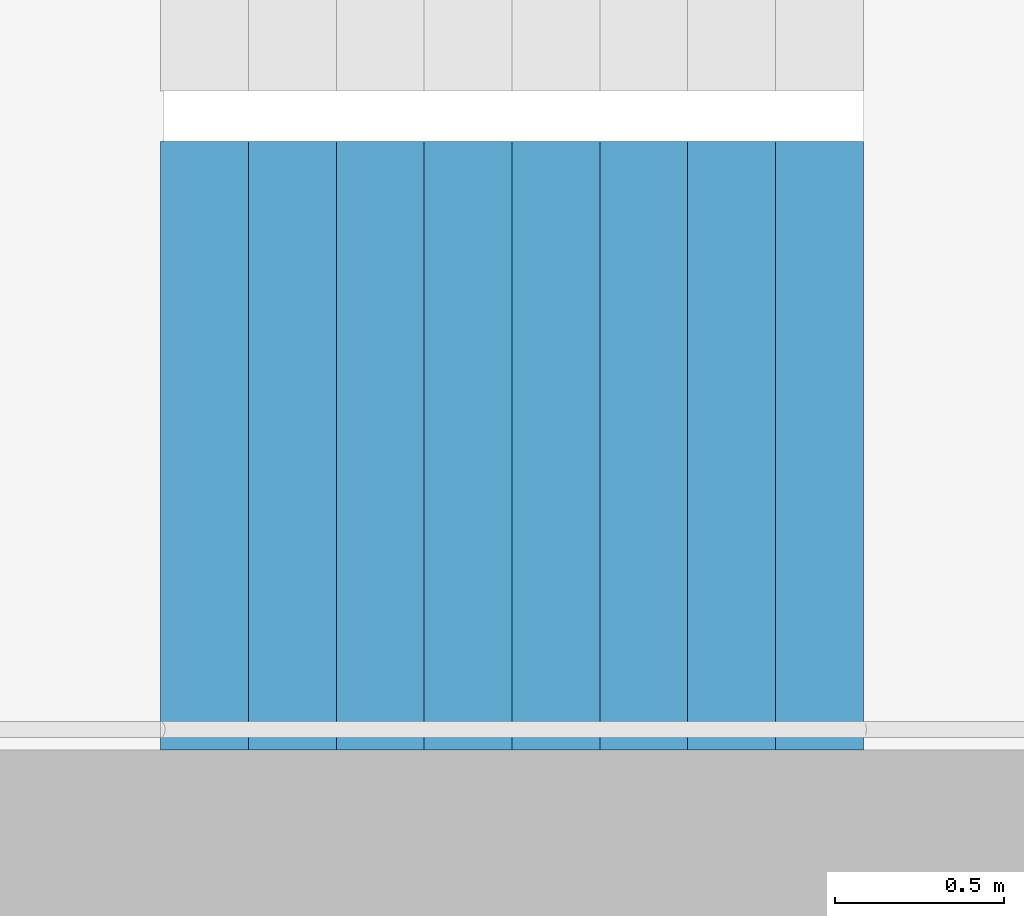
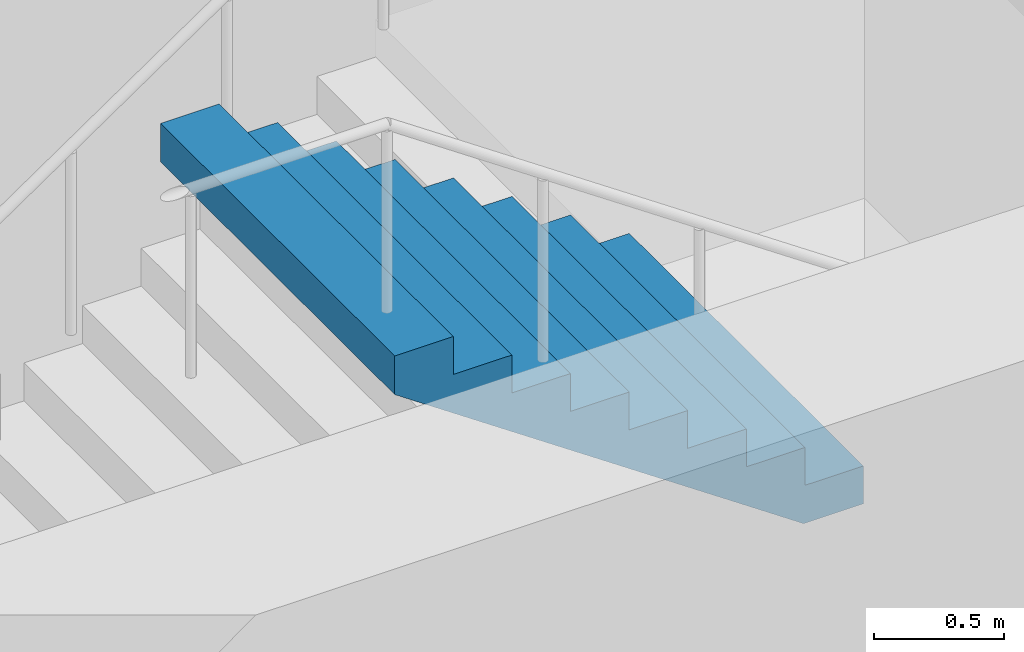
# One storey, part 22 of 26: 1 stair flight, 1 element without a shape of its own.
"""IFC4 building model written with IfcOpenShell, lengths in metres."""

from ifc_helpers import new_model, si_unit, direction, frame, origin, place, context, subcontext, project, spatial, triangles, material, type_object, element, aggregate, save


model = new_model("IFC4")

# Units and contexts
model_context = context("Model", 3, precision=1e-05, world=origin(), true_north=direction((0.0, 1.0)))
body_context = subcontext(model_context, "Body", "Model", "MODEL_VIEW")
ifc_project = project(units=[si_unit("LENGTHUNIT", "METRE"), si_unit("AREAUNIT", "SQUARE_METRE"), si_unit("VOLUMEUNIT", "CUBIC_METRE"), si_unit("PLANEANGLEUNIT", "RADIAN"), si_unit("MASSUNIT", "GRAM", prefix="KILO")], contexts=[model_context])

# Site, building, storey
site_placement = place(None, origin())
site = spatial("IfcSite", under=ifc_project, at=site_placement, CompositionType="ELEMENT")
building_placement = place(site_placement, origin())
building = spatial("IfcBuilding", under=site, at=building_placement, Name="Hakoniwa Tower and Hamabe Station Hall", CompositionType="ELEMENT")
storey_placement = place(building_placement, frame((0.0, 0.0, 221.800048828125)))
storey = spatial("IfcBuildingStorey", under=building, at=storey_placement, Name="L63", CompositionType="ELEMENT", Elevation=221.800048828125)

# Stair, stair flight
ifc_material_1 = material(Name="Concrete C40", Category="concrete")
stair_type = type_object("IfcStairType", Name="ESCAPE STAIR 1800", PredefinedType="HALF_TURN_STAIR", material=ifc_material_1)
stair_placement = place(storey_placement, origin())
stair = element("IfcStair", 1, at=stair_placement, inside=storey, type_object=stair_type, Name="Escape stair ST-4 L63", PredefinedType="HALF_TURN_STAIR")
ifc_material_2 = material(Name="Concrete C40", Category="concrete")
stair_flight_type = type_object("IfcStairFlightType", Name="STAIR FLIGHT 1800", PredefinedType="STRAIGHT", material=ifc_material_2)
stair_flight_placement = place(storey_placement, frame((25.47998046875, -6.60009765625, 1.599853515625), z_axis=(0.0, 0.0, 1.0), x_axis=(-1.0, 0.0, 0.0)))
stair_flight = element("IfcStairFlight", 2, at=stair_flight_placement, type_object=stair_flight_type, Name="ST-4 flight 2", NumberOfRisers=9, NumberOfTreads=8, PredefinedType="STRAIGHT", RiserHeight=0.177777778, TreadLength=0.26, context=body_context, shape_type="Tessellation", body=[
    triangles([(0.0, 0.89990234375, 0.0), (0.260009765625, 0.89990234375, 0.0), (0.265625, 0.89990234375, 0.0), (0.52001953125, 0.89990234375, 0.174072265625), (0.780029296875, 0.89990234375, 0.351806640625), (1.0400390625, 0.89990234375, 0.529541015625), (1.300048828125, 0.89990234375, 0.707275390625), (1.56005859375, 0.89990234375, 0.885009765625), (1.820068359375, 0.89990234375, 1.062744140625), (2.080078125, 0.89990234375, 1.24072265625), (2.080078125, 0.89990234375, 1.422119140625), (1.820068359375, 0.89990234375, 1.422119140625), (1.820068359375, 0.89990234375, 1.244384765625), (1.56005859375, 0.89990234375, 1.244384765625), (1.56005859375, 0.89990234375, 1.066650390625), (1.300048828125, 0.89990234375, 1.066650390625), (1.300048828125, 0.89990234375, 0.888916015625), (1.0400390625, 0.89990234375, 0.888916015625), (1.0400390625, 0.89990234375, 0.711181640625), (0.780029296875, 0.89990234375, 0.711181640625), (0.780029296875, 0.89990234375, 0.533447265625), (0.52001953125, 0.89990234375, 0.533447265625), (0.52001953125, 0.89990234375, 0.35546875), (0.265625, 0.89990234375, 0.35546875), (0.260009765625, 0.89990234375, 0.35546875), (0.260009765625, 0.89990234375, 0.177734375), (0.0, 0.89990234375, 0.177734375), (0.0, 0.06005859375, 0.0), (0.260009765625, 0.06005859375, 0.0), (0.265625, 0.06005859375, 0.0), (0.52001953125, 0.06005859375, 0.174072265625), (0.780029296875, 0.06005859375, 0.351806640625), (1.0400390625, 0.06005859375, 0.529541015625), (1.300048828125, 0.06005859375, 0.707275390625), (1.56005859375, 0.06005859375, 0.885009765625), (1.820068359375, 0.06005859375, 1.062744140625), (2.080078125, 0.06005859375, 1.24072265625), (2.080078125, 0.06005859375, 1.422119140625), (1.820068359375, 0.06005859375, 1.422119140625), (1.820068359375, 0.06005859375, 1.244384765625), (1.56005859375, 0.06005859375, 1.244384765625), (1.56005859375, 0.06005859375, 1.066650390625), (1.300048828125, 0.06005859375, 1.066650390625), (1.300048828125, 0.06005859375, 0.888916015625), (1.0400390625, 0.06005859375, 0.888916015625), (1.0400390625, 0.06005859375, 0.711181640625), (0.780029296875, 0.06005859375, 0.711181640625), (0.780029296875, 0.06005859375, 0.533447265625), (0.52001953125, 0.06005859375, 0.533447265625), (0.52001953125, 0.06005859375, 0.35546875), (0.265625, 0.06005859375, 0.35546875), (0.260009765625, 0.06005859375, 0.35546875), (0.260009765625, 0.06005859375, 0.177734375), (0.0, 0.06005859375, 0.177734375), (0.0, 0.04296875, 0.0), (0.260009765625, 0.04296875, 0.0), (0.265625, 0.04296875, 0.0), (0.52001953125, 0.04296875, 0.174072265625), (0.780029296875, 0.04296875, 0.351806640625), (1.0400390625, 0.04296875, 0.529541015625), (1.300048828125, 0.04296875, 0.707275390625), (1.56005859375, 0.04296875, 0.885009765625), (1.820068359375, 0.04296875, 1.062744140625), (2.080078125, 0.04296875, 1.24072265625), (2.080078125, 0.04296875, 1.422119140625), (1.820068359375, 0.04296875, 1.422119140625), (1.820068359375, 0.04296875, 1.244384765625), (1.56005859375, 0.04296875, 1.244384765625), (1.56005859375, 0.04296875, 1.066650390625), (1.300048828125, 0.04296875, 1.066650390625), (1.300048828125, 0.04296875, 0.888916015625), (1.0400390625, 0.04296875, 0.888916015625), (1.0400390625, 0.04296875, 0.711181640625), (0.780029296875, 0.04296875, 0.711181640625), (0.780029296875, 0.04296875, 0.533447265625), (0.52001953125, 0.04296875, 0.533447265625), (0.52001953125, 0.04296875, 0.35546875), (0.265625, 0.04296875, 0.35546875), (0.260009765625, 0.04296875, 0.35546875), (0.260009765625, 0.04296875, 0.177734375), (0.0, 0.04296875, 0.177734375), (0.0, 0.025634765625, 0.0), (0.260009765625, 0.025634765625, 0.0), (0.265625, 0.025634765625, 0.0), (0.52001953125, 0.025634765625, 0.174072265625), (0.780029296875, 0.025634765625, 0.351806640625), (1.0400390625, 0.025634765625, 0.529541015625), (1.300048828125, 0.025634765625, 0.707275390625), (1.56005859375, 0.025634765625, 0.885009765625), (1.820068359375, 0.025634765625, 1.062744140625), (2.080078125, 0.025634765625, 1.24072265625), (2.080078125, 0.025634765625, 1.422119140625), (1.820068359375, 0.025634765625, 1.422119140625), (1.820068359375, 0.025634765625, 1.244384765625), (1.56005859375, 0.025634765625, 1.244384765625), (1.56005859375, 0.025634765625, 1.066650390625), (1.300048828125, 0.025634765625, 1.066650390625), (1.300048828125, 0.025634765625, 0.888916015625), (1.0400390625, 0.025634765625, 0.888916015625), (1.0400390625, 0.025634765625, 0.711181640625), (0.780029296875, 0.025634765625, 0.711181640625), (0.780029296875, 0.025634765625, 0.533447265625), (0.52001953125, 0.025634765625, 0.533447265625), (0.52001953125, 0.025634765625, 0.35546875), (0.265625, 0.025634765625, 0.35546875), (0.260009765625, 0.025634765625, 0.35546875), (0.260009765625, 0.025634765625, 0.177734375), (0.0, 0.025634765625, 0.177734375), (0.0, 0.008544921875, 0.0), (0.260009765625, 0.008544921875, 0.0), (0.265625, 0.008544921875, 0.0), (0.52001953125, 0.008544921875, 0.174072265625), (0.780029296875, 0.008544921875, 0.351806640625), (1.0400390625, 0.008544921875, 0.529541015625), (1.300048828125, 0.008544921875, 0.707275390625), (1.56005859375, 0.008544921875, 0.885009765625), (1.820068359375, 0.008544921875, 1.062744140625), (2.080078125, 0.008544921875, 1.24072265625), (2.080078125, 0.008544921875, 1.422119140625), (1.820068359375, 0.008544921875, 1.422119140625), (1.820068359375, 0.008544921875, 1.244384765625), (1.56005859375, 0.008544921875, 1.244384765625), (1.56005859375, 0.008544921875, 1.066650390625), (1.300048828125, 0.008544921875, 1.066650390625), (1.300048828125, 0.008544921875, 0.888916015625), (1.0400390625, 0.008544921875, 0.888916015625), (1.0400390625, 0.008544921875, 0.711181640625), (0.780029296875, 0.008544921875, 0.711181640625), (0.780029296875, 0.008544921875, 0.533447265625), (0.52001953125, 0.008544921875, 0.533447265625), (0.52001953125, 0.008544921875, 0.35546875), (0.265625, 0.008544921875, 0.35546875), (0.260009765625, 0.008544921875, 0.35546875), (0.260009765625, 0.008544921875, 0.177734375), (0.0, 0.008544921875, 0.177734375), (0.0, -0.008544921875, 0.0), (0.260009765625, -0.008544921875, 0.0), (0.265625, -0.008544921875, 0.0), (0.52001953125, -0.008544921875, 0.174072265625), (0.780029296875, -0.008544921875, 0.351806640625), (1.0400390625, -0.008544921875, 0.529541015625), (1.300048828125, -0.008544921875, 0.707275390625), (1.56005859375, -0.008544921875, 0.885009765625), (1.820068359375, -0.008544921875, 1.062744140625), (2.080078125, -0.008544921875, 1.24072265625), (2.080078125, -0.008544921875, 1.422119140625), (1.820068359375, -0.008544921875, 1.422119140625), (1.820068359375, -0.008544921875, 1.244384765625), (1.56005859375, -0.008544921875, 1.244384765625), (1.56005859375, -0.008544921875, 1.066650390625), (1.300048828125, -0.008544921875, 1.066650390625), (1.300048828125, -0.008544921875, 0.888916015625), (1.0400390625, -0.008544921875, 0.888916015625), (1.0400390625, -0.008544921875, 0.711181640625), (0.780029296875, -0.008544921875, 0.711181640625), (0.780029296875, -0.008544921875, 0.533447265625), (0.52001953125, -0.008544921875, 0.533447265625), (0.52001953125, -0.008544921875, 0.35546875), (0.265625, -0.008544921875, 0.35546875), (0.260009765625, -0.008544921875, 0.35546875), (0.260009765625, -0.008544921875, 0.177734375), (0.0, -0.008544921875, 0.177734375), (0.0, -0.025634765625, 0.0), (0.260009765625, -0.025634765625, 0.0), (0.265625, -0.025634765625, 0.0), (0.52001953125, -0.025634765625, 0.174072265625), (0.780029296875, -0.025634765625, 0.351806640625), (1.0400390625, -0.025634765625, 0.529541015625), (1.300048828125, -0.025634765625, 0.707275390625), (1.56005859375, -0.025634765625, 0.885009765625), (1.820068359375, -0.025634765625, 1.062744140625), (2.080078125, -0.025634765625, 1.24072265625), (2.080078125, -0.025634765625, 1.422119140625), (1.820068359375, -0.025634765625, 1.422119140625), (1.820068359375, -0.025634765625, 1.244384765625), (1.56005859375, -0.025634765625, 1.244384765625), (1.56005859375, -0.025634765625, 1.066650390625), (1.300048828125, -0.025634765625, 1.066650390625), (1.300048828125, -0.025634765625, 0.888916015625), (1.0400390625, -0.025634765625, 0.888916015625), (1.0400390625, -0.025634765625, 0.711181640625), (0.780029296875, -0.025634765625, 0.711181640625), (0.780029296875, -0.025634765625, 0.533447265625), (0.52001953125, -0.025634765625, 0.533447265625), (0.52001953125, -0.025634765625, 0.35546875), (0.265625, -0.025634765625, 0.35546875), (0.260009765625, -0.025634765625, 0.35546875), (0.260009765625, -0.025634765625, 0.177734375), (0.0, -0.025634765625, 0.177734375), (0.0, -0.04296875, 0.0), (0.260009765625, -0.04296875, 0.0), (0.265625, -0.04296875, 0.0), (0.52001953125, -0.04296875, 0.174072265625), (0.780029296875, -0.04296875, 0.351806640625), (1.0400390625, -0.04296875, 0.529541015625), (1.300048828125, -0.04296875, 0.707275390625), (1.56005859375, -0.04296875, 0.885009765625), (1.820068359375, -0.04296875, 1.062744140625), (2.080078125, -0.04296875, 1.24072265625), (2.080078125, -0.04296875, 1.422119140625), (1.820068359375, -0.04296875, 1.422119140625), (1.820068359375, -0.04296875, 1.244384765625), (1.56005859375, -0.04296875, 1.244384765625), (1.56005859375, -0.04296875, 1.066650390625), (1.300048828125, -0.04296875, 1.066650390625), (1.300048828125, -0.04296875, 0.888916015625), (1.0400390625, -0.04296875, 0.888916015625), (1.0400390625, -0.04296875, 0.711181640625), (0.780029296875, -0.04296875, 0.711181640625), (0.780029296875, -0.04296875, 0.533447265625), (0.52001953125, -0.04296875, 0.533447265625), (0.52001953125, -0.04296875, 0.35546875), (0.265625, -0.04296875, 0.35546875), (0.260009765625, -0.04296875, 0.35546875), (0.260009765625, -0.04296875, 0.177734375), (0.0, -0.04296875, 0.177734375), (0.0, -0.06005859375, 0.0), (0.260009765625, -0.06005859375, 0.0), (0.265625, -0.06005859375, 0.0), (0.52001953125, -0.06005859375, 0.174072265625), (0.780029296875, -0.06005859375, 0.351806640625), (1.0400390625, -0.06005859375, 0.529541015625), (1.300048828125, -0.06005859375, 0.707275390625), (1.56005859375, -0.06005859375, 0.885009765625), (1.820068359375, -0.06005859375, 1.062744140625), (2.080078125, -0.06005859375, 1.24072265625), (2.080078125, -0.06005859375, 1.422119140625), (1.820068359375, -0.06005859375, 1.422119140625), (1.820068359375, -0.06005859375, 1.244384765625), (1.56005859375, -0.06005859375, 1.244384765625), (1.56005859375, -0.06005859375, 1.066650390625), (1.300048828125, -0.06005859375, 1.066650390625), (1.300048828125, -0.06005859375, 0.888916015625), (1.0400390625, -0.06005859375, 0.888916015625), (1.0400390625, -0.06005859375, 0.711181640625), (0.780029296875, -0.06005859375, 0.711181640625), (0.780029296875, -0.06005859375, 0.533447265625), (0.52001953125, -0.06005859375, 0.533447265625), (0.52001953125, -0.06005859375, 0.35546875), (0.265625, -0.06005859375, 0.35546875), (0.260009765625, -0.06005859375, 0.35546875), (0.260009765625, -0.06005859375, 0.177734375), (0.0, -0.06005859375, 0.177734375), (0.0, -0.89990234375, 0.0), (0.260009765625, -0.89990234375, 0.0), (0.265625, -0.89990234375, 0.0), (0.52001953125, -0.89990234375, 0.174072265625), (0.780029296875, -0.89990234375, 0.351806640625), (1.0400390625, -0.89990234375, 0.529541015625), (1.300048828125, -0.89990234375, 0.707275390625), (1.56005859375, -0.89990234375, 0.885009765625), (1.820068359375, -0.89990234375, 1.062744140625), (2.080078125, -0.89990234375, 1.24072265625), (2.080078125, -0.89990234375, 1.422119140625), (1.820068359375, -0.89990234375, 1.422119140625), (1.820068359375, -0.89990234375, 1.244384765625), (1.56005859375, -0.89990234375, 1.244384765625), (1.56005859375, -0.89990234375, 1.066650390625), (1.300048828125, -0.89990234375, 1.066650390625), (1.300048828125, -0.89990234375, 0.888916015625), (1.0400390625, -0.89990234375, 0.888916015625), (1.0400390625, -0.89990234375, 0.711181640625), (0.780029296875, -0.89990234375, 0.711181640625), (0.780029296875, -0.89990234375, 0.533447265625), (0.52001953125, -0.89990234375, 0.533447265625), (0.52001953125, -0.89990234375, 0.35546875), (0.265625, -0.89990234375, 0.35546875), (0.260009765625, -0.89990234375, 0.35546875), (0.260009765625, -0.89990234375, 0.177734375), (0.0, -0.89990234375, 0.177734375)], [[2, 27, 26], [245, 269, 270], [2, 1, 27], [245, 270, 244], [3, 25, 24], [246, 267, 268], [3, 26, 25], [246, 268, 269], [3, 2, 26], [246, 269, 245], [4, 24, 23], [247, 266, 267], [4, 3, 24], [247, 267, 246], [5, 22, 21], [248, 264, 265], [5, 23, 22], [248, 265, 266], [5, 4, 23], [248, 266, 247], [6, 20, 19], [249, 262, 263], [6, 21, 20], [249, 263, 264], [6, 5, 21], [249, 264, 248], [7, 18, 17], [250, 260, 261], [7, 19, 18], [250, 261, 262], [7, 6, 19], [250, 262, 249], [8, 16, 15], [251, 258, 259], [8, 17, 16], [251, 259, 260], [8, 7, 17], [251, 260, 250], [9, 14, 13], [252, 256, 257], [9, 15, 14], [252, 257, 258], [9, 8, 15], [252, 258, 251], [10, 12, 11], [253, 254, 255], [10, 13, 12], [253, 255, 256], [10, 9, 13], [253, 256, 252], [1, 2, 29], [1, 29, 28], [28, 29, 56], [28, 56, 55], [55, 56, 83], [55, 83, 82], [82, 83, 110], [82, 110, 109], [109, 110, 137], [109, 137, 136], [136, 137, 164], [136, 164, 163], [163, 164, 191], [163, 191, 190], [190, 191, 218], [190, 218, 217], [217, 218, 245], [217, 245, 244], [2, 3, 30], [2, 30, 29], [29, 30, 57], [29, 57, 56], [56, 57, 84], [56, 84, 83], [83, 84, 111], [83, 111, 110], [110, 111, 138], [110, 138, 137], [137, 138, 165], [137, 165, 164], [164, 165, 192], [164, 192, 191], [191, 192, 219], [191, 219, 218], [218, 219, 246], [218, 246, 245], [3, 4, 31], [3, 31, 30], [30, 31, 58], [30, 58, 57], [57, 58, 85], [57, 85, 84], [84, 85, 112], [84, 112, 111], [111, 112, 139], [111, 139, 138], [138, 139, 166], [138, 166, 165], [165, 166, 193], [165, 193, 192], [192, 193, 220], [192, 220, 219], [219, 220, 247], [219, 247, 246], [4, 5, 32], [4, 32, 31], [31, 32, 59], [31, 59, 58], [58, 59, 86], [58, 86, 85], [85, 86, 113], [85, 113, 112], [112, 113, 140], [112, 140, 139], [139, 140, 167], [139, 167, 166], [166, 167, 194], [166, 194, 193], [193, 194, 221], [193, 221, 220], [220, 221, 248], [220, 248, 247], [5, 6, 33], [5, 33, 32], [32, 33, 60], [32, 60, 59], [59, 60, 87], [59, 87, 86], [86, 87, 114], [86, 114, 113], [113, 114, 141], [113, 141, 140], [140, 141, 168], [140, 168, 167], [167, 168, 195], [167, 195, 194], [194, 195, 222], [194, 222, 221], [221, 222, 249], [221, 249, 248], [6, 7, 34], [6, 34, 33], [33, 34, 61], [33, 61, 60], [60, 61, 88], [60, 88, 87], [87, 88, 115], [87, 115, 114], [114, 115, 142], [114, 142, 141], [141, 142, 169], [141, 169, 168], [168, 169, 196], [168, 196, 195], [195, 196, 223], [195, 223, 222], [222, 223, 250], [222, 250, 249], [7, 8, 35], [7, 35, 34], [34, 35, 62], [34, 62, 61], [61, 62, 89], [61, 89, 88], [88, 89, 116], [88, 116, 115], [115, 116, 143], [115, 143, 142], [142, 143, 170], [142, 170, 169], [169, 170, 197], [169, 197, 196], [196, 197, 224], [196, 224, 223], [223, 224, 251], [223, 251, 250], [8, 9, 36], [8, 36, 35], [35, 36, 63], [35, 63, 62], [62, 63, 90], [62, 90, 89], [89, 90, 117], [89, 117, 116], [116, 117, 144], [116, 144, 143], [143, 144, 171], [143, 171, 170], [170, 171, 198], [170, 198, 197], [197, 198, 225], [197, 225, 224], [224, 225, 252], [224, 252, 251], [9, 10, 37], [9, 37, 36], [36, 37, 64], [36, 64, 63], [63, 64, 91], [63, 91, 90], [90, 91, 118], [90, 118, 117], [117, 118, 145], [117, 145, 144], [144, 145, 172], [144, 172, 171], [171, 172, 199], [171, 199, 198], [198, 199, 226], [198, 226, 225], [225, 226, 253], [225, 253, 252], [10, 11, 38], [10, 38, 37], [37, 38, 65], [37, 65, 64], [64, 65, 92], [64, 92, 91], [91, 92, 119], [91, 119, 118], [118, 119, 146], [118, 146, 145], [145, 146, 173], [145, 173, 172], [172, 173, 200], [172, 200, 199], [199, 200, 227], [199, 227, 226], [226, 227, 254], [226, 254, 253], [11, 12, 39], [11, 39, 38], [38, 39, 66], [38, 66, 65], [65, 66, 93], [65, 93, 92], [92, 93, 120], [92, 120, 119], [119, 120, 147], [119, 147, 146], [146, 147, 174], [146, 174, 173], [173, 174, 201], [173, 201, 200], [200, 201, 228], [200, 228, 227], [227, 228, 255], [227, 255, 254], [12, 13, 40], [12, 40, 39], [39, 40, 67], [39, 67, 66], [66, 67, 94], [66, 94, 93], [93, 94, 121], [93, 121, 120], [120, 121, 148], [120, 148, 147], [147, 148, 175], [147, 175, 174], [174, 175, 202], [174, 202, 201], [201, 202, 229], [201, 229, 228], [228, 229, 256], [228, 256, 255], [13, 14, 41], [13, 41, 40], [40, 41, 68], [40, 68, 67], [67, 68, 95], [67, 95, 94], [94, 95, 122], [94, 122, 121], [121, 122, 149], [121, 149, 148], [148, 149, 176], [148, 176, 175], [175, 176, 203], [175, 203, 202], [202, 203, 230], [202, 230, 229], [229, 230, 257], [229, 257, 256], [14, 15, 42], [14, 42, 41], [41, 42, 69], [41, 69, 68], [68, 69, 96], [68, 96, 95], [95, 96, 123], [95, 123, 122], [122, 123, 150], [122, 150, 149], [149, 150, 177], [149, 177, 176], [176, 177, 204], [176, 204, 203], [203, 204, 231], [203, 231, 230], [230, 231, 258], [230, 258, 257], [15, 16, 43], [15, 43, 42], [42, 43, 70], [42, 70, 69], [69, 70, 97], [69, 97, 96], [96, 97, 124], [96, 124, 123], [123, 124, 151], [123, 151, 150], [150, 151, 178], [150, 178, 177], [177, 178, 205], [177, 205, 204], [204, 205, 232], [204, 232, 231], [231, 232, 259], [231, 259, 258], [16, 17, 44], [16, 44, 43], [43, 44, 71], [43, 71, 70], [70, 71, 98], [70, 98, 97], [97, 98, 125], [97, 125, 124], [124, 125, 152], [124, 152, 151], [151, 152, 179], [151, 179, 178], [178, 179, 206], [178, 206, 205], [205, 206, 233], [205, 233, 232], [232, 233, 260], [232, 260, 259], [17, 18, 45], [17, 45, 44], [44, 45, 72], [44, 72, 71], [71, 72, 99], [71, 99, 98], [98, 99, 126], [98, 126, 125], [125, 126, 153], [125, 153, 152], [152, 153, 180], [152, 180, 179], [179, 180, 207], [179, 207, 206], [206, 207, 234], [206, 234, 233], [233, 234, 261], [233, 261, 260], [18, 19, 46], [18, 46, 45], [45, 46, 73], [45, 73, 72], [72, 73, 100], [72, 100, 99], [99, 100, 127], [99, 127, 126], [126, 127, 154], [126, 154, 153], [153, 154, 181], [153, 181, 180], [180, 181, 208], [180, 208, 207], [207, 208, 235], [207, 235, 234], [234, 235, 262], [234, 262, 261], [19, 20, 47], [19, 47, 46], [46, 47, 74], [46, 74, 73], [73, 74, 101], [73, 101, 100], [100, 101, 128], [100, 128, 127], [127, 128, 155], [127, 155, 154], [154, 155, 182], [154, 182, 181], [181, 182, 209], [181, 209, 208], [208, 209, 236], [208, 236, 235], [235, 236, 263], [235, 263, 262], [20, 21, 48], [20, 48, 47], [47, 48, 75], [47, 75, 74], [74, 75, 102], [74, 102, 101], [101, 102, 129], [101, 129, 128], [128, 129, 156], [128, 156, 155], [155, 156, 183], [155, 183, 182], [182, 183, 210], [182, 210, 209], [209, 210, 237], [209, 237, 236], [236, 237, 264], [236, 264, 263], [21, 22, 49], [21, 49, 48], [48, 49, 76], [48, 76, 75], [75, 76, 103], [75, 103, 102], [102, 103, 130], [102, 130, 129], [129, 130, 157], [129, 157, 156], [156, 157, 184], [156, 184, 183], [183, 184, 211], [183, 211, 210], [210, 211, 238], [210, 238, 237], [237, 238, 265], [237, 265, 264], [22, 23, 50], [22, 50, 49], [49, 50, 77], [49, 77, 76], [76, 77, 104], [76, 104, 103], [103, 104, 131], [103, 131, 130], [130, 131, 158], [130, 158, 157], [157, 158, 185], [157, 185, 184], [184, 185, 212], [184, 212, 211], [211, 212, 239], [211, 239, 238], [238, 239, 266], [238, 266, 265], [23, 24, 51], [23, 51, 50], [50, 51, 78], [50, 78, 77], [77, 78, 105], [77, 105, 104], [104, 105, 132], [104, 132, 131], [131, 132, 159], [131, 159, 158], [158, 159, 186], [158, 186, 185], [185, 186, 213], [185, 213, 212], [212, 213, 240], [212, 240, 239], [239, 240, 267], [239, 267, 266], [24, 25, 52], [24, 52, 51], [51, 52, 79], [51, 79, 78], [78, 79, 106], [78, 106, 105], [105, 106, 133], [105, 133, 132], [132, 133, 160], [132, 160, 159], [159, 160, 187], [159, 187, 186], [186, 187, 214], [186, 214, 213], [213, 214, 241], [213, 241, 240], [240, 241, 268], [240, 268, 267], [25, 26, 53], [25, 53, 52], [52, 53, 80], [52, 80, 79], [79, 80, 107], [79, 107, 106], [106, 107, 134], [106, 134, 133], [133, 134, 161], [133, 161, 160], [160, 161, 188], [160, 188, 187], [187, 188, 215], [187, 215, 214], [214, 215, 242], [214, 242, 241], [241, 242, 269], [241, 269, 268], [26, 27, 54], [26, 54, 53], [53, 54, 81], [53, 81, 80], [80, 81, 108], [80, 108, 107], [107, 108, 135], [107, 135, 134], [134, 135, 162], [134, 162, 161], [161, 162, 189], [161, 189, 188], [188, 189, 216], [188, 216, 215], [215, 216, 243], [215, 243, 242], [242, 243, 270], [242, 270, 269], [27, 1, 28], [27, 28, 54], [54, 28, 55], [54, 55, 81], [81, 55, 82], [81, 82, 108], [108, 82, 109], [108, 109, 135], [135, 109, 136], [135, 136, 162], [162, 136, 163], [162, 163, 189], [189, 163, 190], [189, 190, 216], [216, 190, 217], [216, 217, 243], [243, 217, 244], [243, 244, 270]], closed=True),
])
aggregate(stair, [stair_flight])

save(model, "model.ifc")
